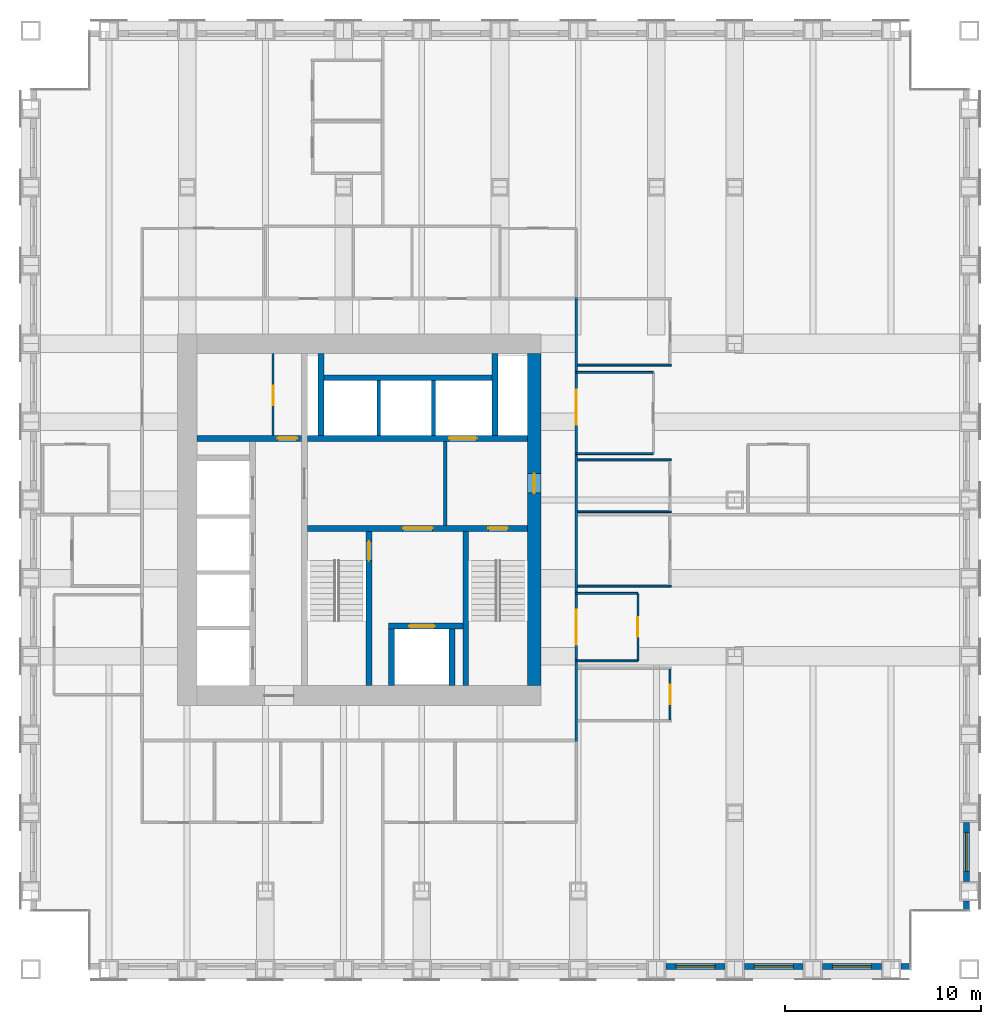
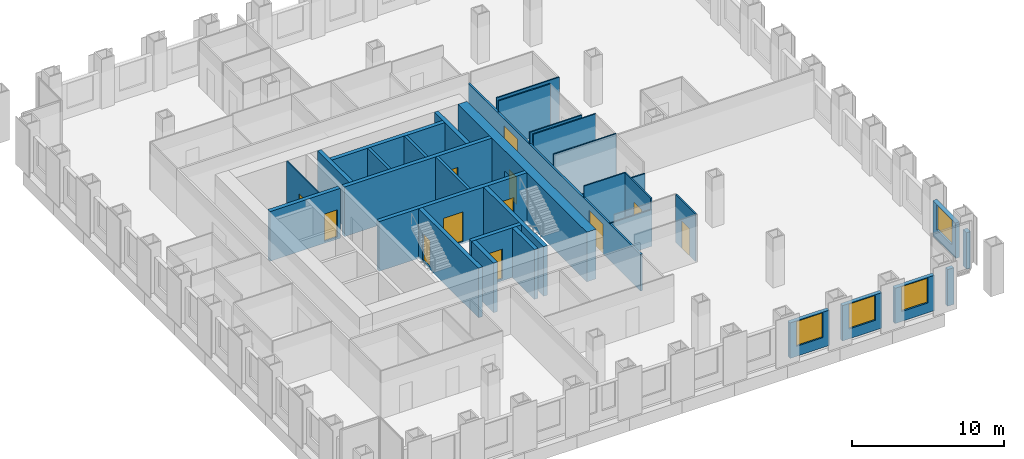
# One storey, part 12 of 16: 33 walls, 12 doors, 4 windows, 16 openings.
"""IFC4 building model written with IfcOpenShell, lengths in metres."""

import ifcopenshell
import ifcopenshell.guid

model = None  # the IFC model being written
_history = None  # IfcOwnerHistory: only IFC2X3 demands one
_inside = {}  # id of a spatial element -> (the spatial element, [elements in it])
_under = {}  # id of a project, library or spatial element -> (it, [spatial elements below it])
_declared = {}  # id of a project -> (the project, [libraries it declares])
_typed = {}  # id of a type object -> (the type object, [elements of that type])
_made_of = {}  # id of a material, layer set ... -> (it, [elements and type objects made of it])


def new_model(schema):
    """Start an empty IFC model of exactly this schema.

    Asked for "IFC4X3", IfcOpenShell would pick the latest addendum, in which some entities
    have other attributes; the version numbers below select the first issue.
    IFC2X3 requires an IfcOwnerHistory on every rooted entity: one is made here for all.
    """
    global model, _history
    if schema == "IFC4X3":
        model = ifcopenshell.file(schema_version=(4, 3, 0, 0))
    else:
        model = ifcopenshell.file(schema=schema)
    _inside.clear()
    _under.clear()
    _declared.clear()
    _typed.clear()
    _made_of.clear()
    _history = None
    if model.schema == "IFC2X3":
        org = make("IfcOrganization", Name="unknown")
        user = make(
            "IfcPersonAndOrganization",
            ThePerson=make("IfcPerson", FamilyName="unknown"),
            TheOrganization=org,
        )
        app = make(
            "IfcApplication",
            ApplicationDeveloper=org,
            Version="unknown",
            ApplicationFullName="unknown",
            ApplicationIdentifier="unknown",
        )
        _history = make(
            "IfcOwnerHistory",
            OwningUser=user,
            OwningApplication=app,
            ChangeAction="ADDED",
            CreationDate=0,
        )
    return model


def make(cls, **values):
    """One entity of the class cls with the attributes given. An attribute that is None is left unset."""
    return model.create_entity(
        cls, **{name: value for name, value in values.items() if value is not None}
    )


def rooted(cls, **values):
    """An entity with a GlobalId (a new one), such as an element, a storey or a relation."""
    return make(cls, GlobalId=ifcopenshell.guid.new(), OwnerHistory=_history, **values)


def si_unit(unit_type, name, prefix=None):
    """IfcSIUnit, for example si_unit("LENGTHUNIT", "METRE", prefix="MILLI")."""
    return make("IfcSIUnit", UnitType=unit_type, Prefix=prefix, Name=name)


def assignment(units):
    """IfcUnitAssignment: the units of a project."""
    return None if units is None else make("IfcUnitAssignment", Units=units)


def point(xyz):
    """IfcCartesianPoint."""
    return None if xyz is None else make("IfcCartesianPoint", Coordinates=xyz)


def direction(xyz):
    """IfcDirection."""
    return None if xyz is None else make("IfcDirection", DirectionRatios=xyz)


def frame(location, z_axis=None, x_axis=None):
    """IfcAxis2Placement3D, a coordinate frame: its origin and axes. An axis left out is left unset."""
    return make(
        "IfcAxis2Placement3D",
        Location=point(location),
        Axis=direction(z_axis),
        RefDirection=direction(x_axis),
    )


def frame_2d(location, x_axis=None):
    """IfcAxis2Placement2D, a coordinate frame in the plane: its origin and x axis."""
    return make(
        "IfcAxis2Placement2D", Location=point(location), RefDirection=direction(x_axis)
    )


def origin():
    """The frame at (0, 0, 0) with its axes left unset."""
    return frame((0.0, 0.0, 0.0))


def place(relative_to, where):
    """IfcLocalPlacement: puts the frame where relative to a parent placement (None: the world)."""
    return make(
        "IfcLocalPlacement", PlacementRelTo=relative_to, RelativePlacement=where
    )


def context(
    kind, dimensions, precision=None, world=None, true_north=None, identifier=None
):
    """IfcGeometricRepresentationContext, for example the 3D "Model" context."""
    return make(
        "IfcGeometricRepresentationContext",
        ContextIdentifier=identifier,
        ContextType=kind,
        CoordinateSpaceDimension=dimensions,
        Precision=precision,
        WorldCoordinateSystem=world,
        TrueNorth=true_north,
    )


def subcontext(parent, identifier, kind, view, scale=None):
    """IfcGeometricRepresentationSubContext, for example "Body" below "Model"."""
    return make(
        "IfcGeometricRepresentationSubContext",
        ContextIdentifier=identifier,
        ContextType=kind,
        ParentContext=parent,
        TargetScale=scale,
        TargetView=view,
    )


def project(units=None, contexts=None):
    """IfcProject with its units and contexts."""
    return rooted(
        "IfcProject",
        Name="project",
        RepresentationContexts=contexts,
        UnitsInContext=assignment(units),
    )


def spatial(cls, under=None, at=None, **own):
    """A site, building, storey or space (cls), placed at a placement, below another one or the project."""
    s = rooted(cls, ObjectPlacement=at, **own)
    if under is not None:
        _under.setdefault(under.id(), (under, []))[1].append(s)
    return s


def profile(cls, at=None, kind="AREA", **sizes):
    """A parametric profile (cls). Its sizes go by their IFC names, for example OverallWidth=200.0."""
    return make(cls, ProfileType=kind, Position=at, **sizes)


def rectangle(**sizes):
    """IfcRectangleProfileDef."""
    return profile("IfcRectangleProfileDef", **sizes)


def extrude(swept, where, along, depth):
    """IfcExtrudedAreaSolid: the profile swept, set in the frame where, extruded along a direction by depth."""
    return make(
        "IfcExtrudedAreaSolid",
        SweptArea=swept,
        Position=where,
        ExtrudedDirection=direction(along),
        Depth=depth,
    )


def shape(context_of_items, identifier, shape_type, items):
    """IfcShapeRepresentation: the items that make up one representation, for example the "Body"."""
    return make(
        "IfcShapeRepresentation",
        ContextOfItems=context_of_items,
        RepresentationIdentifier=identifier,
        RepresentationType=shape_type,
        Items=items,
    )


def material(Name=None, Category=None):
    """IfcMaterial."""
    return make("IfcMaterial", Name=Name, Category=Category)


def layer(
    of_material, thickness, ventilated=None, Name=None, Category=None, Priority=None
):
    """IfcMaterialLayer: one layer of a wall or slab, of a material (None: an air gap)."""
    return make(
        "IfcMaterialLayer",
        Material=of_material,
        LayerThickness=thickness,
        IsVentilated=ventilated,
        Name=Name,
        Category=Category,
        Priority=Priority,
    )


def layer_set(layers, Name=None):
    """IfcMaterialLayerSet."""
    return make("IfcMaterialLayerSet", MaterialLayers=layers, LayerSetName=Name)


def made_of(thing, what):
    """Note that an element or type object is made of a material, layer set ...; save() writes the relation."""
    if what is not None:
        _made_of.setdefault(what.id(), (what, []))[1].append(thing)
    return thing


def type_object(cls, material=None, **own):
    """A type object (cls), such as IfcWallType, which elements share."""
    return made_of(rooted(cls, **own), material)


def element(
    cls,
    number,
    at=None,
    inside=None,
    cuts=None,
    type_object=None,
    material=None,
    context=None,
    identifier="Body",
    shape_type=None,
    held_by="IfcProductDefinitionShape",
    body=None,
    shapes=None,
    **own,
):
    """One element of the class cls, such as IfcWall. Its Tag is "e" and its number.

    at: its placement. inside: the storey or other place that contains it. cuts: it is an
    opening in that element (IfcRelVoidsElement). A single representation is given by context,
    identifier, shape_type and body (its items); several are given by shapes. held_by: the class
    of the entity that holds the representations. save() writes the other relations.
    """
    e = rooted(cls, Tag="e%d" % number, ObjectPlacement=at, **own)
    if body is not None:
        shapes = [shape(context, identifier, shape_type, body)]
    if shapes is not None:
        e.Representation = make(held_by, Representations=shapes)
    if inside is not None:
        _inside.setdefault(inside.id(), (inside, []))[1].append(e)
    if cuts is not None:
        rooted(
            "IfcRelVoidsElement", RelatingBuildingElement=cuts, RelatedOpeningElement=e
        )
    if type_object is not None:
        _typed.setdefault(type_object.id(), (type_object, []))[1].append(e)
    return made_of(e, material)


def fill(opening, filler):
    """IfcRelFillsElement: the door or window that sits in an opening."""
    return rooted(
        "IfcRelFillsElement",
        RelatingOpeningElement=opening,
        RelatedBuildingElement=filler,
    )


def aggregate(whole, parts):
    """IfcRelAggregates: a whole, such as a stair, and the parts it consists of."""
    return rooted("IfcRelAggregates", RelatingObject=whole, RelatedObjects=parts)


def save(model, path):
    """Write the relations noted so far, then the file.

    IfcRelAggregates (storeys below a building ...), IfcRelContainedInSpatialStructure (elements
    in a storey), IfcRelDefinesByType, IfcRelAssociatesMaterial and IfcRelDeclares: one each for
    every whole, place, type object, material and project.
    """
    for whole, parts in _under.values():
        aggregate(whole, parts)
    for where, things in _inside.values():
        rooted(
            "IfcRelContainedInSpatialStructure",
            RelatedElements=things,
            RelatingStructure=where,
        )
    for kind, things in _typed.values():
        rooted("IfcRelDefinesByType", RelatedObjects=things, RelatingType=kind)
    for what, things in _made_of.values():
        rooted("IfcRelAssociatesMaterial", RelatedObjects=things, RelatingMaterial=what)
    for by, libraries in _declared.values():
        rooted("IfcRelDeclares", RelatingContext=by, RelatedDefinitions=libraries)
    model.write(path)


model = new_model("IFC4")

# Units and contexts
model_context = context("Model", 3, precision=1e-05, world=origin(), true_north=direction((0.0, 1.0)))
body_context = subcontext(model_context, "Body", "Model", "MODEL_VIEW")
ifc_project = project(units=[si_unit("LENGTHUNIT", "METRE"), si_unit("AREAUNIT", "SQUARE_METRE"), si_unit("VOLUMEUNIT", "CUBIC_METRE"), si_unit("PLANEANGLEUNIT", "RADIAN"), si_unit("MASSUNIT", "GRAM", prefix="KILO")], contexts=[model_context])

# Site, building, storey
site_placement = place(None, origin())
site = spatial("IfcSite", under=ifc_project, at=site_placement, CompositionType="ELEMENT")
building_placement = place(site_placement, origin())
building = spatial("IfcBuilding", under=site, at=building_placement, Name="Rimbunsela Tower", CompositionType="ELEMENT")
storey_placement = place(building_placement, frame((0.0, 0.0, 125.39990234375)))
storey = spatial("IfcBuildingStorey", under=building, at=storey_placement, Name="L30", CompositionType="ELEMENT", Elevation=125.39990234375)

# Wall, openings, doors
ifc_material_1 = material(Name="Concrete fc' 80 MPa", Category="concrete")
ifc_layer_1 = layer(ifc_material_1, 0.300048828125)
ifc_layer_set_1 = layer_set([ifc_layer_1], Name="Core internal wall 300")
wall_type_1 = type_object("IfcWallType", Name="Core internal wall 300", PredefinedType="SHEAR", material=ifc_layer_set_1)
wall_1_placement = place(storey_placement, frame((24.14990234375, 26.550048828125, -0.14990234375), z_axis=(0.0, 0.0, 1.0), x_axis=(1.0, 0.0, 0.0)))
wall_1 = element("IfcWall", 1, at=wall_1_placement, inside=storey, type_object=wall_type_1, Name="Core wall lobby south", PredefinedType="SHEAR", context=body_context, shape_type="SweptSolid", body=[
    extrude(rectangle(XDim=11.25, YDim=0.300048828125, at=frame_2d((5.625, 0.0))), origin(), (0.0, 0.0, 1.0), 4.0),
])
opening_1_placement = place(wall_1_placement, frame((9.25, 0.0, 0.14990234375)))
opening_1 = element("IfcOpeningElement", 2, at=opening_1_placement, cuts=wall_1, Name="Opening D01", PredefinedType="OPENING", context=body_context, shape_type="SweptSolid", body=[
    extrude(rectangle(XDim=1.0, YDim=2.199951171875, at=frame_2d((0.5, 1.10009765625))), frame((0.0, 0.159912109375, 0.0), z_axis=(0.0, -1.0, 0.0), x_axis=(1.0, 0.0, 0.0)), (0.0, 0.0, 1.0), 0.320068359375),
])
opening_2_placement = place(wall_1_placement, frame((4.89990234375, 0.0, 0.14990234375)))
opening_2 = element("IfcOpeningElement", 3, at=opening_2_placement, cuts=wall_1, Name="Opening D03", PredefinedType="OPENING", context=body_context, shape_type="SweptSolid", body=[
    extrude(rectangle(XDim=1.5, YDim=2.39990234375, at=frame_2d((0.75, 1.199951171875))), frame((0.0, 0.159912109375, 0.0), z_axis=(0.0, -1.0, 0.0), x_axis=(1.0, 0.0, 0.0)), (0.0, 0.0, 1.0), 0.320068359375),
])
ifc_material_2 = material(Name="Steel door, fire rated", Category="steel")
door_type_1 = type_object("IfcDoorType", Name="Core lobby door 1500", OperationType="DOUBLE_DOOR_DOUBLE_SWING", PredefinedType="DOOR", material=ifc_material_2)
door_1_placement = place(opening_2_placement, origin())
door_1 = element("IfcDoor", 4, at=door_1_placement, inside=storey, type_object=door_type_1, Name="Firefighting lobby door", OperationType="DOUBLE_DOOR_DOUBLE_SWING", OverallHeight=2.39990234375, OverallWidth=1.5, PredefinedType="DOOR", context=body_context, shape_type="SweptSolid", body=[
    extrude(rectangle(XDim=1.5, YDim=2.39990234375, at=frame_2d((0.75, 1.199951171875))), frame((0.0, 0.02490234375, 0.0), z_axis=(0.0, -1.0, 0.0), x_axis=(1.0, 0.0, 0.0)), (0.0, 0.0, 1.0), 0.050048828125),
])
fill(opening_2, door_1)
ifc_material_3 = material(Name="Steel door, fire rated", Category="steel")
door_type_2 = type_object("IfcDoorType", Name="Stair door 1000", OperationType="SINGLE_SWING_RIGHT", PredefinedType="DOOR", material=ifc_material_3)
door_2_placement = place(opening_1_placement, frame((1.0, 0.0, 0.0), z_axis=(0.0, 0.0, 1.0), x_axis=(-1.0, 0.0, 0.0)))
door_2 = element("IfcDoor", 5, at=door_2_placement, inside=storey, type_object=door_type_2, Name="Stair B door", OperationType="SINGLE_SWING_RIGHT", OverallHeight=2.199951171875, OverallWidth=1.0, PredefinedType="DOOR", context=body_context, shape_type="SweptSolid", body=[
    extrude(rectangle(XDim=1.0, YDim=2.199951171875, at=frame_2d((0.5, 1.10009765625))), frame((0.0, 0.02490234375, 0.0), z_axis=(0.0, -1.0, 0.0), x_axis=(1.0, 0.0, 0.0)), (0.0, 0.0, 1.0), 0.050048828125),
])
fill(opening_1, door_2)

# Wall, opening, door
wall_2_placement = place(storey_placement, frame((27.300048828125, 18.5, -0.14990234375), z_axis=(0.0, 0.0, 1.0), x_axis=(0.0, 1.0, 0.0)))
wall_2 = element("IfcWall", 6, at=wall_2_placement, inside=storey, type_object=wall_type_1, Name="Stair A enclosure", PredefinedType="SHEAR", context=body_context, shape_type="SweptSolid", body=[
    extrude(rectangle(XDim=7.89990234375, YDim=0.300048828125, at=frame_2d((3.949951171875, 0.0))), origin(), (0.0, 0.0, 1.0), 4.0),
])
opening_3_placement = place(wall_2_placement, frame((6.39990234375, 0.0, 0.14990234375)))
opening_3 = element("IfcOpeningElement", 7, at=opening_3_placement, cuts=wall_2, Name="Opening D01", PredefinedType="OPENING", context=body_context, shape_type="SweptSolid", body=[
    extrude(rectangle(XDim=1.0, YDim=2.199951171875, at=frame_2d((0.5, 1.10009765625))), frame((0.0, 0.159912109375, 0.0), z_axis=(0.0, -1.0, 0.0), x_axis=(1.0, 0.0, 0.0)), (0.0, 0.0, 1.0), 0.320068359375),
])
door_3_placement = place(opening_3_placement, origin())
door_3 = element("IfcDoor", 8, at=door_3_placement, inside=storey, type_object=door_type_2, Name="Stair A door", OperationType="SINGLE_SWING_RIGHT", OverallHeight=2.199951171875, OverallWidth=1.0, PredefinedType="DOOR", context=body_context, shape_type="SweptSolid", body=[
    extrude(rectangle(XDim=1.0, YDim=2.199951171875, at=frame_2d((0.5, 1.10009765625))), frame((0.0, 0.02490234375, 0.0), z_axis=(0.0, -1.0, 0.0), x_axis=(1.0, 0.0, 0.0)), (0.0, 0.0, 1.0), 0.050048828125),
])
fill(opening_3, door_3)

# Walls
wall_3_placement = place(storey_placement, frame((32.25, 18.5, -0.14990234375), z_axis=(0.0, 0.0, 1.0), x_axis=(0.0, 1.0, 0.0)))
element("IfcWall", 9, at=wall_3_placement, inside=storey, type_object=wall_type_1, Name="Stair B enclosure", PredefinedType="SHEAR", context=body_context, shape_type="SweptSolid", body=[
    extrude(rectangle(XDim=7.89990234375, YDim=0.300048828125, at=frame_2d((3.949951171875, 0.0))), origin(), (0.0, 0.0, 1.0), 4.0),
])
for number, where, z_axis, x_axis, name in (
    (10, (28.449951171875, 18.5, -0.14990234375), (0.0, 0.0, 1.0), (0.0, 1.0, 0.0), "Firefighting lift shaft west"),
    (11, (31.550048828125, 18.5, -0.14990234375), (0.0, 0.0, 1.0), (0.0, 1.0, 0.0), "Firefighting lift shaft east"),
):
    element("IfcWall", number, at=place(storey_placement, frame(where, z_axis=z_axis, x_axis=x_axis)), inside=storey, type_object=wall_type_1, Name=name, PredefinedType="SHEAR", context=body_context, shape_type="SweptSolid", body=[
        extrude(rectangle(XDim=2.89990234375, YDim=0.300048828125, at=frame_2d((1.449951171875, 0.0))), origin(), (0.0, 0.0, 1.0), 4.0),
    ])

# Wall, opening, door
wall_4_placement = place(storey_placement, frame((28.300048828125, 21.550048828125, -0.14990234375), z_axis=(0.0, 0.0, 1.0), x_axis=(1.0, 0.0, 0.0)))
wall_4 = element("IfcWall", 12, at=wall_4_placement, inside=storey, type_object=wall_type_1, Name="Firefighting lift shaft front", PredefinedType="SHEAR", context=body_context, shape_type="SweptSolid", body=[
    extrude(rectangle(XDim=3.800048828125, YDim=0.300048828125, at=frame_2d((1.89990234375, 0.0))), origin(), (0.0, 0.0, 1.0), 4.0),
])
opening_4_placement = place(wall_4_placement, frame((1.050048828125, 0.0, 0.14990234375)))
opening_4 = element("IfcOpeningElement", 13, at=opening_4_placement, cuts=wall_4, Name="Opening LD2", PredefinedType="OPENING", context=body_context, shape_type="SweptSolid", body=[
    extrude(rectangle(XDim=1.300048828125, YDim=2.39990234375, at=frame_2d((0.64990234375, 1.199951171875))), frame((0.0, 0.159912109375, 0.0), z_axis=(0.0, -1.0, 0.0), x_axis=(1.0, 0.0, 0.0)), (0.0, 0.0, 1.0), 0.320068359375),
])
ifc_material_4 = material(Name="Steel door, fire rated", Category="steel")
door_type_3 = type_object("IfcDoorType", Name="Lift landing door 1300", OperationType="DOUBLE_DOOR_SLIDING", PredefinedType="DOOR", material=ifc_material_4)
door_4_placement = place(opening_4_placement, origin())
door_4 = element("IfcDoor", 14, at=door_4_placement, inside=storey, type_object=door_type_3, Name="Lift landing door FL1", OperationType="DOUBLE_DOOR_SLIDING", OverallHeight=2.39990234375, OverallWidth=1.300048828125, PredefinedType="DOOR", context=body_context, shape_type="SweptSolid", body=[
    extrude(rectangle(XDim=1.300048828125, YDim=2.39990234375, at=frame_2d((0.64990234375, 1.199951171875))), frame((0.0, 0.02490234375, 0.0), z_axis=(0.0, -1.0, 0.0), x_axis=(1.0, 0.0, 0.0)), (0.0, 0.0, 1.0), 0.050048828125),
])
fill(opening_4, door_4)

wall_5_placement = place(storey_placement, frame((24.14990234375, 31.14990234375, -0.14990234375), z_axis=(0.0, 0.0, 1.0), x_axis=(1.0, 0.0, 0.0)))
wall_5 = element("IfcWall", 15, at=wall_5_placement, inside=storey, type_object=wall_type_1, Name="Lift shaft front north", PredefinedType="SHEAR", context=body_context, shape_type="SweptSolid", body=[
    extrude(rectangle(XDim=11.25, YDim=0.300048828125, at=frame_2d((5.625, 0.0))), origin(), (0.0, 0.0, 1.0), 4.0),
])
opening_5_placement = place(wall_5_placement, frame((7.25, 0.0, 0.14990234375)))
opening_5 = element("IfcOpeningElement", 16, at=opening_5_placement, cuts=wall_5, Name="Opening LD3", PredefinedType="OPENING", context=body_context, shape_type="SweptSolid", body=[
    extrude(rectangle(XDim=1.39990234375, YDim=2.39990234375, at=frame_2d((0.699951171875, 1.199951171875))), frame((0.0, 0.159912109375, 0.0), z_axis=(0.0, -1.0, 0.0), x_axis=(1.0, 0.0, 0.0)), (0.0, 0.0, 1.0), 0.320068359375),
])
ifc_material_5 = material(Name="Steel door, fire rated", Category="steel")
door_type_4 = type_object("IfcDoorType", Name="Lift landing door 1400", OperationType="DOUBLE_DOOR_SLIDING", PredefinedType="DOOR", material=ifc_material_5)
door_5_placement = place(opening_5_placement, origin())
door_5 = element("IfcDoor", 17, at=door_5_placement, inside=storey, type_object=door_type_4, Name="Lift landing door FL2", OperationType="DOUBLE_DOOR_SLIDING", OverallHeight=2.39990234375, OverallWidth=1.39990234375, PredefinedType="DOOR", context=body_context, shape_type="SweptSolid", body=[
    extrude(rectangle(XDim=1.39990234375, YDim=2.39990234375, at=frame_2d((0.699951171875, 1.199951171875))), frame((0.0, 0.02490234375, 0.0), z_axis=(0.0, -1.0, 0.0), x_axis=(1.0, 0.0, 0.0)), (0.0, 0.0, 1.0), 0.050048828125),
])
fill(opening_5, door_5)

wall_6_placement = place(storey_placement, frame((18.5, 31.14990234375, -0.14990234375), z_axis=(0.0, 0.0, 1.0), x_axis=(1.0, 0.0, 0.0)))
wall_6 = element("IfcWall", 18, at=wall_6_placement, inside=storey, type_object=wall_type_1, Name="Store wall", PredefinedType="SHEAR", context=body_context, shape_type="SweptSolid", body=[
    extrude(rectangle(XDim=5.35009765625, YDim=0.300048828125, at=frame_2d((2.675048828125, 0.0))), origin(), (0.0, 0.0, 1.0), 4.0),
])
opening_6_placement = place(wall_6_placement, frame((4.125, 0.0, 0.14990234375)))
opening_6 = element("IfcOpeningElement", 19, at=opening_6_placement, cuts=wall_6, Name="Opening D19", PredefinedType="OPENING", context=body_context, shape_type="SweptSolid", body=[
    extrude(rectangle(XDim=1.0, YDim=2.199951171875, at=frame_2d((0.5, 1.10009765625))), frame((0.0, 0.159912109375, 0.0), z_axis=(0.0, -1.0, 0.0), x_axis=(1.0, 0.0, 0.0)), (0.0, 0.0, 1.0), 0.320068359375),
])
ifc_material_6 = material(Name="Steel door, fire rated", Category="steel")
door_type_5 = type_object("IfcDoorType", Name="Service door 1000 fire rated", OperationType="SINGLE_SWING_LEFT", PredefinedType="DOOR", material=ifc_material_6)
door_6_placement = place(opening_6_placement, origin())
door_6 = element("IfcDoor", 20, at=door_6_placement, inside=storey, type_object=door_type_5, Name="Facilities store door", OperationType="SINGLE_SWING_LEFT", OverallHeight=2.199951171875, OverallWidth=1.0, PredefinedType="DOOR", context=body_context, shape_type="SweptSolid", body=[
    extrude(rectangle(XDim=1.0, YDim=2.199951171875, at=frame_2d((0.5, 1.10009765625))), frame((0.0, 0.02490234375, 0.0), z_axis=(0.0, -1.0, 0.0), x_axis=(1.0, 0.0, 0.0)), (0.0, 0.0, 1.0), 0.050048828125),
])
fill(opening_6, door_6)

# Walls
for number, where, z_axis, x_axis, name in (
    (21, (24.85009765625, 31.300048828125, -0.14990234375), (0.0, 0.0, 1.0), (0.0, 1.0, 0.0), "Riser wall"),
    (22, (33.75, 31.300048828125, -0.14990234375), (0.0, 0.0, 1.0), (0.0, 1.0, 0.0), "Riser wall"),
):
    element("IfcWall", number, at=place(storey_placement, frame(where, z_axis=z_axis, x_axis=x_axis)), inside=storey, type_object=wall_type_1, Name=name, PredefinedType="SHEAR", context=body_context, shape_type="SweptSolid", body=[
        extrude(rectangle(XDim=4.199951171875, YDim=0.300048828125, at=frame_2d((2.10009765625, 0.0))), origin(), (0.0, 0.0, 1.0), 4.0),
    ])
wall_7_placement = place(storey_placement, frame((25.0, 34.25, -0.14990234375), z_axis=(0.0, 0.0, 1.0), x_axis=(1.0, 0.0, 0.0)))
element("IfcWall", 23, at=wall_7_placement, inside=storey, type_object=wall_type_1, Name="Lift shaft rear north", PredefinedType="SHEAR", context=body_context, shape_type="SweptSolid", body=[
    extrude(rectangle(XDim=8.60009765625, YDim=0.300048828125, at=frame_2d((4.300048828125, 0.0))), origin(), (0.0, 0.0, 1.0), 4.0),
])

# Wall, opening, door
ifc_material_7 = material(Name="Concrete blockwork", Category="masonry")
ifc_layer_2 = layer(ifc_material_7, 0.10009765625)
ifc_layer_set_2 = layer_set([ifc_layer_2], Name="Core room partition 100")
wall_type_2 = type_object("IfcWallType", Name="Core room partition 100", PredefinedType="PARTITIONING", material=ifc_layer_set_2)
wall_8_placement = place(storey_placement, frame((22.39990234375, 31.300048828125, 0.0), z_axis=(0.0, 0.0, 1.0), x_axis=(0.0, 1.0, 0.0)))
wall_8 = element("IfcWall", 24, at=wall_8_placement, inside=storey, type_object=wall_type_2, Name="Tenant store wall", PredefinedType="PARTITIONING", context=body_context, shape_type="SweptSolid", body=[
    extrude(rectangle(XDim=4.199951171875, YDim=0.10009765625, at=frame_2d((2.10009765625, 0.0))), origin(), (0.0, 0.0, 1.0), 3.85009765625),
])
opening_7_placement = place(wall_8_placement, frame((1.550048828125, 0.0, 0.0)))
opening_7 = element("IfcOpeningElement", 25, at=opening_7_placement, cuts=wall_8, Name="Opening D19", PredefinedType="OPENING", context=body_context, shape_type="SweptSolid", body=[
    extrude(rectangle(XDim=1.0, YDim=2.199951171875, at=frame_2d((0.5, 1.10009765625))), frame((0.0, 0.06005859375, 0.0), z_axis=(0.0, -1.0, 0.0), x_axis=(1.0, 0.0, 0.0)), (0.0, 0.0, 1.0), 0.1201171875),
])
door_7_placement = place(opening_7_placement, origin())
door_7 = element("IfcDoor", 26, at=door_7_placement, inside=storey, type_object=door_type_5, Name="Tenant store door", OperationType="SINGLE_SWING_LEFT", OverallHeight=2.199951171875, OverallWidth=1.0, PredefinedType="DOOR", context=body_context, shape_type="SweptSolid", body=[
    extrude(rectangle(XDim=1.0, YDim=2.199951171875, at=frame_2d((0.5, 1.10009765625))), frame((0.0, 0.02490234375, 0.0), z_axis=(0.0, -1.0, 0.0), x_axis=(1.0, 0.0, 0.0)), (0.0, 0.0, 1.0), 0.050048828125),
])
fill(opening_7, door_7)

ifc_material_8 = material(Name="Concrete fc' 80 MPa", Category="concrete")
ifc_layer_3 = layer(ifc_material_8, 0.699951171875)
ifc_layer_set_3 = layer_set([ifc_layer_3], Name="Core wall 700 east")
wall_type_3 = type_object("IfcWallType", Name="Core wall 700 east", PredefinedType="SHEAR", material=ifc_layer_set_3)
wall_9_placement = place(storey_placement, frame((35.75, 18.5, -0.14990234375), z_axis=(0.0, 0.0, 1.0), x_axis=(0.0, 1.0, 0.0)))
wall_9 = element("IfcWall", 27, at=wall_9_placement, inside=storey, type_object=wall_type_3, Name="Core wall east", PredefinedType="SHEAR", context=body_context, shape_type="SweptSolid", body=[
    extrude(rectangle(XDim=17.0, YDim=0.699951171875, at=frame_2d((8.5, 0.0))), origin(), (0.0, 0.0, 1.0), 4.0),
])
opening_8_placement = place(wall_9_placement, frame((9.85009765625, 0.0, 0.14990234375)))
opening_8 = element("IfcOpeningElement", 28, at=opening_8_placement, cuts=wall_9, Name="Opening D01", PredefinedType="OPENING", context=body_context, shape_type="SweptSolid", body=[
    extrude(rectangle(XDim=1.0, YDim=2.199951171875, at=frame_2d((0.5, 1.10009765625))), frame((0.0, 0.35986328125, 0.0), z_axis=(0.0, -1.0, 0.0), x_axis=(1.0, 0.0, 0.0)), (0.0, 0.0, 1.0), 0.719970703125),
])
door_8_placement = place(opening_8_placement, origin())
door_8 = element("IfcDoor", 29, at=door_8_placement, inside=storey, type_object=door_type_2, Name="Firefighting lobby 2 door", OperationType="SINGLE_SWING_RIGHT", OverallHeight=2.199951171875, OverallWidth=1.0, PredefinedType="DOOR", context=body_context, shape_type="SweptSolid", body=[
    extrude(rectangle(XDim=1.0, YDim=2.199951171875, at=frame_2d((0.5, 1.10009765625))), frame((0.0, 0.02490234375, 0.0), z_axis=(0.0, -1.0, 0.0), x_axis=(1.0, 0.0, 0.0)), (0.0, 0.0, 1.0), 0.050048828125),
])
fill(opening_8, door_8)

# Walls
ifc_material_9 = material(Name="Concrete blockwork", Category="masonry")
ifc_layer_4 = layer(ifc_material_9, 0.199951171875)
ifc_layer_set_4 = layer_set([ifc_layer_4], Name="Lift shaft wall 200")
wall_type_4 = type_object("IfcWallType", Name="Lift shaft wall 200", PredefinedType="SOLIDWALL", material=ifc_layer_set_4)
for number, where, z_axis, x_axis, name in (
    (30, (27.800048828125, 31.300048828125, -0.14990234375), (0.0, 0.0, 1.0), (0.0, 1.0, 0.0), "Lift shaft separation"),
    (31, (30.60009765625, 31.300048828125, -0.14990234375), (0.0, 0.0, 1.0), (0.0, 1.0, 0.0), "Lift shaft separation"),
):
    element("IfcWall", number, at=place(storey_placement, frame(where, z_axis=z_axis, x_axis=x_axis)), inside=storey, type_object=wall_type_4, Name=name, PredefinedType="SOLIDWALL", context=body_context, shape_type="SweptSolid", body=[
        extrude(rectangle(XDim=2.800048828125, YDim=0.199951171875, at=frame_2d((1.39990234375, 0.0))), origin(), (0.0, 0.0, 1.0), 4.0),
    ])
wall_10_placement = place(storey_placement, frame((31.199951171875, 26.699951171875, 0.0), z_axis=(0.0, 0.0, 1.0), x_axis=(0.0, 1.0, 0.0)))
element("IfcWall", 32, at=wall_10_placement, inside=storey, type_object=wall_type_4, Name="Firefighting lobby 2 wall", PredefinedType="SOLIDWALL", context=body_context, shape_type="SweptSolid", body=[
    extrude(rectangle(XDim=4.300048828125, YDim=0.199951171875, at=frame_2d((2.14990234375, 0.0))), origin(), (0.0, 0.0, 1.0), 3.85009765625),
])
ifc_material_10 = material(Name="Gypsum board on steel studs", Category="steel")
ifc_layer_5 = layer(ifc_material_10, 0.10009765625)
ifc_layer_set_5 = layer_set([ifc_layer_5], Name="Office partition 100")
wall_type_5 = type_object("IfcWallType", Name="Office partition 100", PredefinedType="PARTITIONING", material=ifc_layer_set_5)
wall_11_placement = place(storey_placement, frame((37.97509765625, 23.59912109375, 0.0), z_axis=(0.0, 0.0, 1.0), x_axis=(1.0, 0.0, 0.0)))
element("IfcWall", 33, at=wall_11_placement, inside=storey, type_object=wall_type_5, Name="Office partition", PredefinedType="PARTITIONING", context=body_context, shape_type="SweptSolid", body=[
    extrude(rectangle(XDim=4.77490234375, YDim=0.10009765625, at=frame_2d((2.387451171875, 0.0))), origin(), (0.0, 0.0, 1.0), 2.9501953125),
])
for number, where, z_axis, x_axis, name in (
    (34, (37.97509765625, 27.39990234375, 0.0), (0.0, 0.0, 1.0), (1.0, 0.0, 0.0), "Office partition"),
    (35, (37.97509765625, 30.050048828125, 0.0), (0.0, 0.0, 1.0), (1.0, 0.0, 0.0), "Office partition"),
    (36, (37.97509765625, 34.89990234375, 0.0), (0.0, 0.0, 1.0), (1.0, 0.0, 0.0), "Office partition"),
):
    element("IfcWall", number, at=place(storey_placement, frame(where, z_axis=z_axis, x_axis=x_axis)), inside=storey, type_object=wall_type_5, Name=name, PredefinedType="PARTITIONING", context=body_context, shape_type="SweptSolid", body=[
        extrude(rectangle(XDim=4.77490234375, YDim=0.10009765625, at=frame_2d((2.387451171875, 0.0))), origin(), (0.0, 0.0, 1.0), 3.85009765625),
    ])

# Wall, opening, door
wall_12_placement = place(storey_placement, frame((42.699951171875, 16.75, 0.0), z_axis=(0.0, 0.0, 1.0), x_axis=(0.0, 1.0, 0.0)))
wall_12 = element("IfcWall", 37, at=wall_12_placement, inside=storey, type_object=wall_type_5, Name="Office partition", PredefinedType="PARTITIONING", context=body_context, shape_type="SweptSolid", body=[
    extrude(rectangle(XDim=2.59912109375, YDim=0.10009765625, at=frame_2d((1.299560546875, 0.0))), origin(), (0.0, 0.0, 1.0), 3.85009765625),
])
opening_9_placement = place(wall_12_placement, frame((0.799560546875, 0.0, 0.0)))
opening_9 = element("IfcOpeningElement", 38, at=opening_9_placement, cuts=wall_12, Name="Opening D16", PredefinedType="OPENING", context=body_context, shape_type="SweptSolid", body=[
    extrude(rectangle(XDim=1.0, YDim=2.199951171875, at=frame_2d((0.5, 1.10009765625))), frame((0.0, 0.06005859375, 0.0), z_axis=(0.0, -1.0, 0.0), x_axis=(1.0, 0.0, 0.0)), (0.0, 0.0, 1.0), 0.1201171875),
])
ifc_material_11 = material(Name="Timber door", Category="wood")
door_type_6 = type_object("IfcDoorType", Name="Office door 1000", OperationType="SINGLE_SWING_LEFT", PredefinedType="DOOR", material=ifc_material_11)
door_9_placement = place(opening_9_placement, origin())
door_9 = element("IfcDoor", 39, at=door_9_placement, inside=storey, type_object=door_type_6, Name="Office door", OperationType="SINGLE_SWING_LEFT", OverallHeight=2.199951171875, OverallWidth=1.0, PredefinedType="DOOR", context=body_context, shape_type="SweptSolid", body=[
    extrude(rectangle(XDim=1.0, YDim=2.199951171875, at=frame_2d((0.5, 1.10009765625))), frame((0.0, 0.02490234375, 0.0), z_axis=(0.0, -1.0, 0.0), x_axis=(1.0, 0.0, 0.0)), (0.0, 0.0, 1.0), 0.050048828125),
])
fill(opening_9, door_9)

# Wall
wall_13_placement = place(storey_placement, frame((37.89990234375, 19.77392578125, 0.0), z_axis=(0.0, 0.0, 1.0), x_axis=(1.0, 0.0, 0.0)))
element("IfcWall", 40, at=wall_13_placement, inside=storey, type_object=wall_type_5, Name="Office partition", PredefinedType="PARTITIONING", context=body_context, shape_type="SweptSolid", body=[
    extrude(rectangle(XDim=3.150146484375, YDim=0.10009765625, at=frame_2d((1.5751953125, 0.0))), origin(), (0.0, 0.0, 1.0), 2.9501953125),
])

# Wall, opening, door
wall_14_placement = place(storey_placement, frame((41.050048828125, 19.77392578125, 0.0), z_axis=(0.0, 0.0, 1.0), x_axis=(0.0, 1.0, 0.0)))
wall_14 = element("IfcWall", 41, at=wall_14_placement, inside=storey, type_object=wall_type_5, Name="Office partition", PredefinedType="PARTITIONING", context=body_context, shape_type="SweptSolid", body=[
    extrude(rectangle(XDim=3.4501953125, YDim=0.10009765625, at=frame_2d((1.72509765625, 0.0))), origin(), (0.0, 0.0, 1.0), 3.85009765625),
])
opening_10_placement = place(wall_14_placement, frame((1.22509765625, 0.0, 0.0)))
opening_10 = element("IfcOpeningElement", 42, at=opening_10_placement, cuts=wall_14, Name="Opening D17", PredefinedType="OPENING", context=body_context, shape_type="SweptSolid", body=[
    extrude(rectangle(XDim=1.0, YDim=2.199951171875, at=frame_2d((0.5, 1.10009765625))), frame((0.0, 0.06005859375, 0.0), z_axis=(0.0, -1.0, 0.0), x_axis=(1.0, 0.0, 0.0)), (0.0, 0.0, 1.0), 0.1201171875),
])
ifc_material_12 = material(Name="Glazed aluminium door", Category="aluminium")
door_type_7 = type_object("IfcDoorType", Name="Meeting room door 1000 glazed", OperationType="SINGLE_SWING_RIGHT", PredefinedType="DOOR", material=ifc_material_12)
door_10_placement = place(opening_10_placement, origin())
door_10 = element("IfcDoor", 43, at=door_10_placement, inside=storey, type_object=door_type_7, Name="Reception door", OperationType="SINGLE_SWING_RIGHT", OverallHeight=2.199951171875, OverallWidth=1.0, PredefinedType="DOOR", context=body_context, shape_type="SweptSolid", body=[
    extrude(rectangle(XDim=1.0, YDim=2.199951171875, at=frame_2d((0.5, 1.10009765625))), frame((0.0, 0.02490234375, 0.0), z_axis=(0.0, -1.0, 0.0), x_axis=(1.0, 0.0, 0.0)), (0.0, 0.0, 1.0), 0.050048828125),
])
fill(opening_10, door_10)

# Walls
wall_15_placement = place(storey_placement, frame((41.050048828125, 23.22412109375, 0.0), z_axis=(0.0, 0.0, 1.0), x_axis=(-1.0, 0.0, 0.0)))
element("IfcWall", 44, at=wall_15_placement, inside=storey, type_object=wall_type_5, Name="Office partition", PredefinedType="PARTITIONING", context=body_context, shape_type="SweptSolid", body=[
    extrude(rectangle(XDim=3.150146484375, YDim=0.10009765625, at=frame_2d((1.5751953125, 0.0))), origin(), (0.0, 0.0, 1.0), 3.85009765625),
])
for number, where, z_axis, x_axis, name in (
    (45, (37.89990234375, 30.3759765625, 0.0), (0.0, 0.0, 1.0), (1.0, 0.0, 0.0), "Office partition"),
    (46, (41.85009765625, 34.52587890625, 0.0), (0.0, 0.0, 1.0), (-1.0, 0.0, 0.0), "Office partition"),
):
    element("IfcWall", number, at=place(storey_placement, frame(where, z_axis=z_axis, x_axis=x_axis)), inside=storey, type_object=wall_type_5, Name=name, PredefinedType="PARTITIONING", context=body_context, shape_type="SweptSolid", body=[
        extrude(rectangle(XDim=3.9501953125, YDim=0.10009765625, at=frame_2d((1.97509765625, 0.0))), origin(), (0.0, 0.0, 1.0), 3.85009765625),
    ])

# Wall, opening, window
ifc_material_13 = material(Name="Precast concrete fc' 35 MPa", Category="concrete")
ifc_layer_6 = layer(ifc_material_13, 0.300048828125)
ifc_layer_set_6 = layer_set([ifc_layer_6], Name="Precast concrete fc' 35 MPa")
wall_type_6 = type_object("IfcWallType", Name="Precast facade panel 300", PredefinedType="ELEMENTEDWALL", material=ifc_layer_set_6)
wall_16_placement = place(storey_placement, frame((42.5, 4.14990234375, 0.0), z_axis=(0.0, 0.0, 1.0), x_axis=(1.0, 0.0, 0.0)))
wall_16 = element("IfcWall", 47, at=wall_16_placement, inside=storey, type_object=wall_type_6, Name="Facade panel S L30", PredefinedType="ELEMENTEDWALL", context=body_context, shape_type="SweptSolid", body=[
    extrude(rectangle(XDim=3.0, YDim=0.300048828125, at=frame_2d((1.5, 0.0))), origin(), (0.0, 0.0, 1.0), 2.85009765625),
])
opening_11_placement = place(wall_16_placement, frame((0.5, 0.0, 0.800048828125)))
opening_11 = element("IfcOpeningElement", 48, at=opening_11_placement, cuts=wall_16, Name="Opening W1", PredefinedType="OPENING", context=body_context, shape_type="SweptSolid", body=[
    extrude(rectangle(XDim=2.0, YDim=2.0, at=frame_2d((1.0, 1.0))), frame((0.0, 0.159912109375, 0.0), z_axis=(0.0, -1.0, 0.0), x_axis=(1.0, 0.0, 0.0)), (0.0, 0.0, 1.0), 0.320068359375),
])
ifc_material_14 = material(Name="Clear glass in aluminium frame", Category="aluminium")
window_type = type_object("IfcWindowType", Name="Window W1 2000x2000", PartitioningType="DOUBLE_PANEL_VERTICAL", PredefinedType="WINDOW", material=ifc_material_14)
window_1_placement = place(opening_11_placement, origin())
window_1 = element("IfcWindow", 49, at=window_1_placement, inside=storey, type_object=window_type, Name="Window L30", OverallHeight=2.0, OverallWidth=2.0, PartitioningType="SINGLE_PANEL", PredefinedType="WINDOW", context=body_context, shape_type="SweptSolid", body=[
    extrude(rectangle(XDim=2.0, YDim=2.0, at=frame_2d((1.0, 1.0))), frame((0.0, 0.030029296875, 0.0), z_axis=(0.0, -1.0, 0.0), x_axis=(1.0, 0.0, 0.0)), (0.0, 0.0, 1.0), 0.06005859375),
])
fill(opening_11, window_1)

wall_17_placement = place(storey_placement, frame((46.5, 4.14990234375, 0.0), z_axis=(0.0, 0.0, 1.0), x_axis=(1.0, 0.0, 0.0)))
wall_17 = element("IfcWall", 50, at=wall_17_placement, inside=storey, type_object=wall_type_6, Name="Facade panel S L30", PredefinedType="ELEMENTEDWALL", context=body_context, shape_type="SweptSolid", body=[
    extrude(rectangle(XDim=3.0, YDim=0.300048828125, at=frame_2d((1.5, 0.0))), origin(), (0.0, 0.0, 1.0), 2.85009765625),
])
opening_12_placement = place(wall_17_placement, frame((0.5, 0.0, 0.800048828125)))
opening_12 = element("IfcOpeningElement", 51, at=opening_12_placement, cuts=wall_17, Name="Opening W1", PredefinedType="OPENING", context=body_context, shape_type="SweptSolid", body=[
    extrude(rectangle(XDim=2.0, YDim=2.0, at=frame_2d((1.0, 1.0))), frame((0.0, 0.159912109375, 0.0), z_axis=(0.0, -1.0, 0.0), x_axis=(1.0, 0.0, 0.0)), (0.0, 0.0, 1.0), 0.320068359375),
])
window_2_placement = place(opening_12_placement, origin())
window_2 = element("IfcWindow", 52, at=window_2_placement, inside=storey, type_object=window_type, Name="Window L30", OverallHeight=2.0, OverallWidth=2.0, PartitioningType="SINGLE_PANEL", PredefinedType="WINDOW", context=body_context, shape_type="SweptSolid", body=[
    extrude(rectangle(XDim=2.0, YDim=2.0, at=frame_2d((1.0, 1.0))), frame((0.0, 0.030029296875, 0.0), z_axis=(0.0, -1.0, 0.0), x_axis=(1.0, 0.0, 0.0)), (0.0, 0.0, 1.0), 0.06005859375),
])
fill(opening_12, window_2)

wall_18_placement = place(storey_placement, frame((50.5, 4.14990234375, 0.0), z_axis=(0.0, 0.0, 1.0), x_axis=(1.0, 0.0, 0.0)))
wall_18 = element("IfcWall", 53, at=wall_18_placement, inside=storey, type_object=wall_type_6, Name="Facade panel S L30", PredefinedType="ELEMENTEDWALL", context=body_context, shape_type="SweptSolid", body=[
    extrude(rectangle(XDim=3.0, YDim=0.300048828125, at=frame_2d((1.5, 0.0))), origin(), (0.0, 0.0, 1.0), 2.85009765625),
])
opening_13_placement = place(wall_18_placement, frame((0.5, 0.0, 0.800048828125)))
opening_13 = element("IfcOpeningElement", 54, at=opening_13_placement, cuts=wall_18, Name="Opening W1", PredefinedType="OPENING", context=body_context, shape_type="SweptSolid", body=[
    extrude(rectangle(XDim=2.0, YDim=2.0, at=frame_2d((1.0, 1.0))), frame((0.0, 0.159912109375, 0.0), z_axis=(0.0, -1.0, 0.0), x_axis=(1.0, 0.0, 0.0)), (0.0, 0.0, 1.0), 0.320068359375),
])
window_3_placement = place(opening_13_placement, origin())
window_3 = element("IfcWindow", 55, at=window_3_placement, inside=storey, type_object=window_type, Name="Window L30", OverallHeight=2.0, OverallWidth=2.0, PartitioningType="SINGLE_PANEL", PredefinedType="WINDOW", context=body_context, shape_type="SweptSolid", body=[
    extrude(rectangle(XDim=2.0, YDim=2.0, at=frame_2d((1.0, 1.0))), frame((0.0, 0.030029296875, 0.0), z_axis=(0.0, -1.0, 0.0), x_axis=(1.0, 0.0, 0.0)), (0.0, 0.0, 1.0), 0.06005859375),
])
fill(opening_13, window_3)

# Walls
for number, where, z_axis, x_axis, name in (
    (56, (54.5, 4.14990234375, 0.0), (0.0, 0.0, 1.0), (1.0, 0.0, 0.0), "Facade panel S L30"),
    (57, (57.85009765625, 7.030029296875, 0.0), (0.0, 0.0, 1.0), (0.0, 1.0, 0.0), "Facade panel E L30"),
):
    element("IfcWall", number, at=place(storey_placement, frame(where, z_axis=z_axis, x_axis=x_axis)), inside=storey, type_object=wall_type_6, Name=name, PredefinedType="ELEMENTEDWALL", context=body_context, shape_type="SweptSolid", body=[
        extrude(rectangle(XDim=0.469970703125, YDim=0.300048828125, at=frame_2d((0.23486328125, 0.0))), origin(), (0.0, 0.0, 1.0), 2.9501953125),
    ])

# Wall, opening, window
wall_19_placement = place(storey_placement, frame((57.85009765625, 8.5, 0.0), z_axis=(0.0, 0.0, 1.0), x_axis=(0.0, 1.0, 0.0)))
wall_19 = element("IfcWall", 58, at=wall_19_placement, inside=storey, type_object=wall_type_6, Name="Facade panel E L30", PredefinedType="ELEMENTEDWALL", context=body_context, shape_type="SweptSolid", body=[
    extrude(rectangle(XDim=3.0, YDim=0.300048828125, at=frame_2d((1.5, 0.0))), origin(), (0.0, 0.0, 1.0), 2.85009765625),
])
opening_14_placement = place(wall_19_placement, frame((0.5, 0.0, 0.800048828125)))
opening_14 = element("IfcOpeningElement", 59, at=opening_14_placement, cuts=wall_19, Name="Opening W1", PredefinedType="OPENING", context=body_context, shape_type="SweptSolid", body=[
    extrude(rectangle(XDim=2.0, YDim=2.0, at=frame_2d((1.0, 1.0))), frame((0.0, 0.159912109375, 0.0), z_axis=(0.0, -1.0, 0.0), x_axis=(1.0, 0.0, 0.0)), (0.0, 0.0, 1.0), 0.320068359375),
])
window_4_placement = place(opening_14_placement, origin())
window_4 = element("IfcWindow", 60, at=window_4_placement, inside=storey, type_object=window_type, Name="Window L30", OverallHeight=2.0, OverallWidth=2.0, PartitioningType="SINGLE_PANEL", PredefinedType="WINDOW", context=body_context, shape_type="SweptSolid", body=[
    extrude(rectangle(XDim=2.0, YDim=2.0, at=frame_2d((1.0, 1.0))), frame((0.0, 0.030029296875, 0.0), z_axis=(0.0, -1.0, 0.0), x_axis=(1.0, 0.0, 0.0)), (0.0, 0.0, 1.0), 0.06005859375),
])
fill(opening_14, window_4)

# Wall, openings, doors
ifc_material_15 = material(Name="Fire-rated gypsum board on steel studs, EI 60", Category="steel")
ifc_layer_7 = layer(ifc_material_15, 0.14990234375)
ifc_layer_set_7 = layer_set([ifc_layer_7], Name="Rated corridor wall 150")
wall_type_7 = type_object("IfcWallType", Name="Rated corridor wall 150", PredefinedType="PARTITIONING", material=ifc_layer_set_7)
wall_20_placement = place(storey_placement, frame((37.89990234375, 15.625, 0.0), z_axis=(0.0, 0.0, 1.0), x_axis=(0.0, 1.0, 0.0)))
wall_20 = element("IfcWall", 61, at=wall_20_placement, inside=storey, type_object=wall_type_7, Name="Corridor wall east", PredefinedType="PARTITIONING", context=body_context, shape_type="SweptSolid", body=[
    extrude(rectangle(XDim=22.75, YDim=0.14990234375, at=frame_2d((11.375, 0.0))), origin(), (0.0, 0.0, 1.0), 2.9501953125),
])
opening_15_placement = place(wall_20_placement, frame((4.97412109375, 0.0, 0.0)))
opening_15 = element("IfcOpeningElement", 62, at=opening_15_placement, cuts=wall_20, Name="Opening D09", PredefinedType="OPENING", context=body_context, shape_type="SweptSolid", body=[
    extrude(rectangle(XDim=1.800048828125, YDim=2.39990234375, at=frame_2d((0.89990234375, 1.199951171875))), frame((0.0, 0.0849609375, 0.0), z_axis=(0.0, -1.0, 0.0), x_axis=(1.0, 0.0, 0.0)), (0.0, 0.0, 1.0), 0.169921875),
])
opening_16_placement = place(wall_20_placement, frame((16.22607421875, 0.0, 0.0)))
opening_16 = element("IfcOpeningElement", 63, at=opening_16_placement, cuts=wall_20, Name="Opening D09", PredefinedType="OPENING", context=body_context, shape_type="SweptSolid", body=[
    extrude(rectangle(XDim=1.800048828125, YDim=2.39990234375, at=frame_2d((0.89990234375, 1.199951171875))), frame((0.0, 0.0849609375, 0.0), z_axis=(0.0, -1.0, 0.0), x_axis=(1.0, 0.0, 0.0)), (0.0, 0.0, 1.0), 0.169921875),
])
ifc_material_16 = material(Name="Glazed aluminium door, fire rated", Category="aluminium")
door_type_8 = type_object("IfcDoorType", Name="Tenancy door 1800 glazed", OperationType="DOUBLE_DOOR_DOUBLE_SWING", PredefinedType="DOOR", material=ifc_material_16)
door_11_placement = place(opening_15_placement, origin())
door_11 = element("IfcDoor", 64, at=door_11_placement, inside=storey, type_object=door_type_8, Name="Tenancy door", OperationType="DOUBLE_DOOR_DOUBLE_SWING", OverallHeight=2.39990234375, OverallWidth=1.800048828125, PredefinedType="DOOR", context=body_context, shape_type="SweptSolid", body=[
    extrude(rectangle(XDim=1.800048828125, YDim=2.39990234375, at=frame_2d((0.89990234375, 1.199951171875))), frame((0.0, 0.02490234375, 0.0), z_axis=(0.0, -1.0, 0.0), x_axis=(1.0, 0.0, 0.0)), (0.0, 0.0, 1.0), 0.050048828125),
])
fill(opening_15, door_11)
door_12_placement = place(opening_16_placement, origin())
door_12 = element("IfcDoor", 65, at=door_12_placement, inside=storey, type_object=door_type_8, Name="Tenancy door", OperationType="DOUBLE_DOOR_DOUBLE_SWING", OverallHeight=2.39990234375, OverallWidth=1.800048828125, PredefinedType="DOOR", context=body_context, shape_type="SweptSolid", body=[
    extrude(rectangle(XDim=1.800048828125, YDim=2.39990234375, at=frame_2d((0.89990234375, 1.199951171875))), frame((0.0, 0.02490234375, 0.0), z_axis=(0.0, -1.0, 0.0), x_axis=(1.0, 0.0, 0.0)), (0.0, 0.0, 1.0), 0.050048828125),
])
fill(opening_16, door_12)

save(model, "model.ifc")
